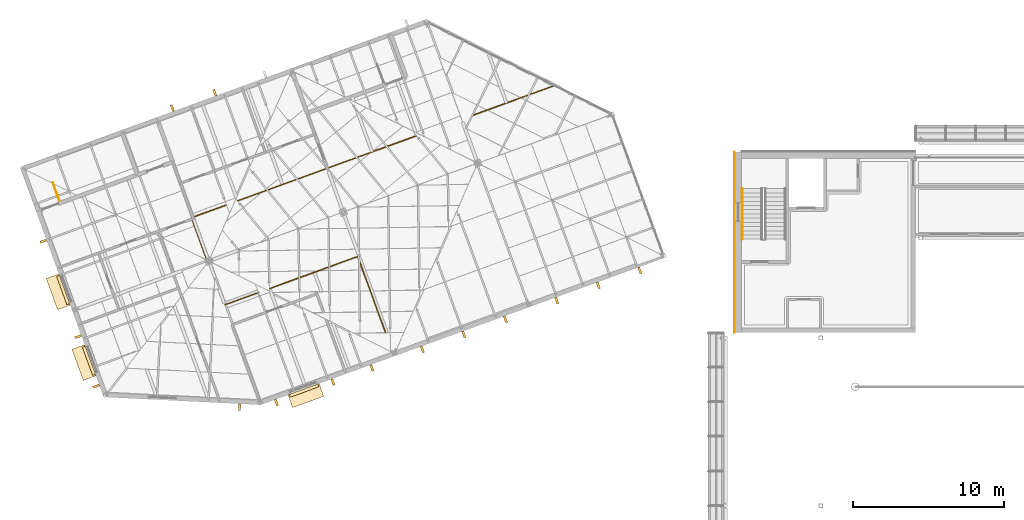
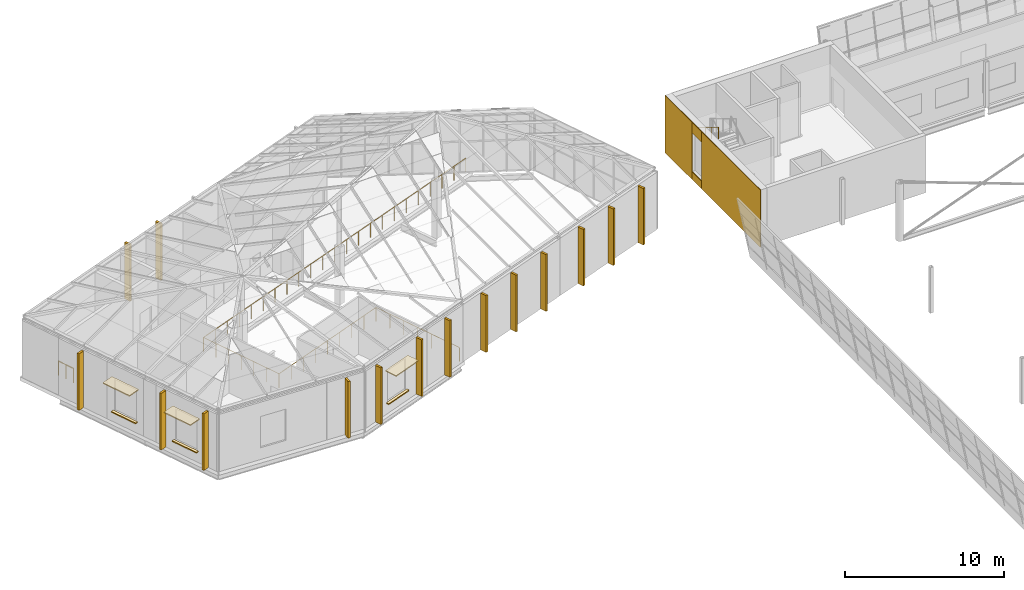
# One storey, part 83 of 95: 15 shading devices, 10 coverings, 3 railings.
"""IFC4 building model written with IfcOpenShell, lengths in metres."""

from ifc_helpers import new_model, si_unit, direction, frame, origin, origin_2d, place, context, subcontext, project, spatial, polyline, circle, outline, extrude, material, layer, layer_set, type_object, element, save


model = new_model("IFC4")

# Units and contexts
model_context = context("Model", 3, precision=1e-05, world=origin(), true_north=direction((0.0, 1.0)))
body_context = subcontext(model_context, "Body", "Model", "MODEL_VIEW")
ifc_project = project(units=[si_unit("LENGTHUNIT", "METRE"), si_unit("AREAUNIT", "SQUARE_METRE"), si_unit("VOLUMEUNIT", "CUBIC_METRE"), si_unit("PLANEANGLEUNIT", "RADIAN"), si_unit("MASSUNIT", "GRAM", prefix="KILO")], contexts=[model_context])

# Site, building, storey
site_placement = place(None, origin())
site = spatial("IfcSite", under=ifc_project, at=site_placement, CompositionType="ELEMENT")
building_placement = place(site_placement, origin())
building = spatial("IfcBuilding", under=site, at=building_placement, Name="Windward Yard Aquatics Centre", CompositionType="ELEMENT")
storey_placement = place(building_placement, frame((0.0, 0.0, 9.39990234375)))
storey = spatial("IfcBuildingStorey", under=building, at=storey_placement, Name="L02", CompositionType="ELEMENT", Elevation=9.39990234375)

# Railings
ifc_material_1 = material(Name="Stainless steel 1.4401", Category="steel")
railing_type_1 = type_object("IfcRailingType", Name="F guard 1100 stainless steel", PredefinedType="GUARDRAIL", material=ifc_material_1)
railing_1_placement = place(storey_placement, frame((7.1484375, 92.77392578125, 0.0)))
element("IfcRailing", 1, at=railing_1_placement, inside=storey, type_object=railing_type_1, Name="F.RL.G.L02.S1", PredefinedType="GUARDRAIL", context=body_context, shape_type="SweptSolid", body=[
    extrude(circle(Radius=0.02392578125, at=origin_2d()), frame((0.0, 0.0, 1.076171875), z_axis=(-0.342119329325, 0.939656514106, 0.0), x_axis=(-0.939656514106, -0.342119329325, 0.0)), (0.0, 0.0, 1.0), 1.250244140625),
    extrude(circle(Radius=0.02099609375, at=origin_2d()), origin(), (0.0, 0.0, 1.0), 1.052001953125),
    extrude(circle(Radius=0.02099609375, at=origin_2d()), frame((-0.2138671875, 0.58740234375, 0.0)), (0.0, 0.0, 1.0), 1.052001953125),
    extrude(circle(Radius=0.02099609375, at=origin_2d()), frame((-0.427734375, 1.1748046875, 0.0)), (0.0, 0.0, 1.0), 1.052001953125),
])
railing_2_placement = place(storey_placement, frame((40.051025390625, 100.4130859375, 0.0)))
element("IfcRailing", 2, at=railing_2_placement, inside=storey, type_object=railing_type_1, Name="F.RL.G.L02.01", PredefinedType="GUARDRAIL", context=body_context, shape_type="SweptSolid", body=[
    extrude(circle(Radius=0.02392578125, at=origin_2d()), frame((0.0, 0.0, 1.076171875), z_axis=(-0.939692626213, -0.342020128415, 0.0), x_axis=(0.342020128415, -0.939692626213, 0.0)), (0.0, 0.0, 1.0), 25.68115234375),
    extrude(circle(Radius=0.02392578125, at=origin_2d()), frame((-24.13232421875, -8.783447265625, 1.076171875), z_axis=(0.342040251855, -0.939685301636, 0.0), x_axis=(0.939685301636, 0.342040251855, 0.0)), (0.0, 0.0, 1.0), 6.199951171875),
    extrude(circle(Radius=0.02392578125, at=origin_2d()), frame((-22.01171875, -14.609375, 1.076171875), z_axis=(0.939697342025, 0.342007171549, 0.0), x_axis=(-0.342007171549, 0.939697342025, 0.0)), (0.0, 0.0, 1.0), 9.499755859375),
    extrude(circle(Radius=0.02392578125, at=origin_2d()), frame((-13.084716796875, -11.3603515625, 1.076171875), z_axis=(0.342017775767, -0.939693482503, 0.0), x_axis=(0.939693482503, 0.342017775767, 0.0)), (0.0, 0.0, 1.0), 6.849853515625),
    extrude(circle(Radius=0.02099609375, at=origin_2d()), origin(), (0.0, 0.0, 1.0), 1.052001953125),
    extrude(circle(Radius=0.02099609375, at=origin_2d()), frame((-1.096923828125, -0.399169921875, 0.0)), (0.0, 0.0, 1.0), 1.052001953125),
    extrude(circle(Radius=0.02099609375, at=origin_2d()), frame((-2.19384765625, -0.798583984375, 0.0)), (0.0, 0.0, 1.0), 1.052001953125),
    extrude(circle(Radius=0.02099609375, at=origin_2d()), frame((-3.290771484375, -1.19775390625, 0.0)), (0.0, 0.0, 1.0), 1.052001953125),
    extrude(circle(Radius=0.02099609375, at=origin_2d()), frame((-4.3876953125, -1.596923828125, 0.0)), (0.0, 0.0, 1.0), 1.052001953125),
    extrude(circle(Radius=0.02099609375, at=origin_2d()), frame((-5.484619140625, -1.996337890625, 0.0)), (0.0, 0.0, 1.0), 1.052001953125),
    extrude(circle(Radius=0.02099609375, at=origin_2d()), frame((-6.58154296875, -2.3955078125, 0.0)), (0.0, 0.0, 1.0), 1.052001953125),
    extrude(circle(Radius=0.02099609375, at=origin_2d()), frame((-7.678466796875, -2.794677734375, 0.0)), (0.0, 0.0, 1.0), 1.052001953125),
    extrude(circle(Radius=0.02099609375, at=origin_2d()), frame((-8.775390625, -3.194091796875, 0.0)), (0.0, 0.0, 1.0), 1.052001953125),
    extrude(circle(Radius=0.02099609375, at=origin_2d()), frame((-9.872314453125, -3.59326171875, 0.0)), (0.0, 0.0, 1.0), 1.052001953125),
    extrude(circle(Radius=0.02099609375, at=origin_2d()), frame((-10.96923828125, -3.992431640625, 0.0)), (0.0, 0.0, 1.0), 1.052001953125),
    extrude(circle(Radius=0.02099609375, at=origin_2d()), frame((-12.066162109375, -4.3916015625, 0.0)), (0.0, 0.0, 1.0), 1.052001953125),
    extrude(circle(Radius=0.02099609375, at=origin_2d()), frame((-13.1630859375, -4.791015625, 0.0)), (0.0, 0.0, 1.0), 1.052001953125),
    extrude(circle(Radius=0.02099609375, at=origin_2d()), frame((-14.260009765625, -5.190185546875, 0.0)), (0.0, 0.0, 1.0), 1.052001953125),
    extrude(circle(Radius=0.02099609375, at=origin_2d()), frame((-15.35693359375, -5.58935546875, 0.0)), (0.0, 0.0, 1.0), 1.052001953125),
    extrude(circle(Radius=0.02099609375, at=origin_2d()), frame((-16.453857421875, -5.98876953125, 0.0)), (0.0, 0.0, 1.0), 1.052001953125),
    extrude(circle(Radius=0.02099609375, at=origin_2d()), frame((-17.55078125, -6.387939453125, 0.0)), (0.0, 0.0, 1.0), 1.052001953125),
    extrude(circle(Radius=0.02099609375, at=origin_2d()), frame((-18.647705078125, -6.787109375, 0.0)), (0.0, 0.0, 1.0), 1.052001953125),
    extrude(circle(Radius=0.02099609375, at=origin_2d()), frame((-19.74462890625, -7.1865234375, 0.0)), (0.0, 0.0, 1.0), 1.052001953125),
    extrude(circle(Radius=0.02099609375, at=origin_2d()), frame((-20.841552734375, -7.585693359375, 0.0)), (0.0, 0.0, 1.0), 1.052001953125),
    extrude(circle(Radius=0.02099609375, at=origin_2d()), frame((-21.9384765625, -7.98486328125, 0.0)), (0.0, 0.0, 1.0), 1.052001953125),
    extrude(circle(Radius=0.02099609375, at=origin_2d()), frame((-23.035400390625, -8.38427734375, 0.0)), (0.0, 0.0, 1.0), 1.052001953125),
    extrude(circle(Radius=0.02099609375, at=origin_2d()), frame((-24.13232421875, -8.783447265625, 0.0)), (0.0, 0.0, 1.0), 1.052001953125),
    extrude(circle(Radius=0.02099609375, at=origin_2d()), frame((-23.77880859375, -9.75439453125, 0.0)), (0.0, 0.0, 1.0), 1.052001953125),
    extrude(circle(Radius=0.02099609375, at=origin_2d()), frame((-23.425537109375, -10.725341796875, 0.0)), (0.0, 0.0, 1.0), 1.052001953125),
    extrude(circle(Radius=0.02099609375, at=origin_2d()), frame((-23.072021484375, -11.6962890625, 0.0)), (0.0, 0.0, 1.0), 1.052001953125),
    extrude(circle(Radius=0.02099609375, at=origin_2d()), frame((-22.718505859375, -12.66748046875, 0.0)), (0.0, 0.0, 1.0), 1.052001953125),
    extrude(circle(Radius=0.02099609375, at=origin_2d()), frame((-22.365234375, -13.638427734375, 0.0)), (0.0, 0.0, 1.0), 1.052001953125),
    extrude(circle(Radius=0.02099609375, at=origin_2d()), frame((-22.01171875, -14.609375, 0.0)), (0.0, 0.0, 1.0), 1.052001953125),
    extrude(circle(Radius=0.02099609375, at=origin_2d()), frame((-20.895751953125, -14.203125, 0.0)), (0.0, 0.0, 1.0), 1.052001953125),
    extrude(circle(Radius=0.02099609375, at=origin_2d()), frame((-19.780029296875, -13.797119140625, 0.0)), (0.0, 0.0, 1.0), 1.052001953125),
    extrude(circle(Radius=0.02099609375, at=origin_2d()), frame((-18.6640625, -13.39111328125, 0.0)), (0.0, 0.0, 1.0), 1.052001953125),
    extrude(circle(Radius=0.02099609375, at=origin_2d()), frame((-17.54833984375, -12.98486328125, 0.0)), (0.0, 0.0, 1.0), 1.052001953125),
    extrude(circle(Radius=0.02099609375, at=origin_2d()), frame((-16.432373046875, -12.57861328125, 0.0)), (0.0, 0.0, 1.0), 1.052001953125),
    extrude(circle(Radius=0.02099609375, at=origin_2d()), frame((-15.31640625, -12.172607421875, 0.0)), (0.0, 0.0, 1.0), 1.052001953125),
    extrude(circle(Radius=0.02099609375, at=origin_2d()), frame((-14.20068359375, -11.7666015625, 0.0)), (0.0, 0.0, 1.0), 1.052001953125),
    extrude(circle(Radius=0.02099609375, at=origin_2d()), frame((-13.084716796875, -11.3603515625, 0.0)), (0.0, 0.0, 1.0), 1.052001953125),
    extrude(circle(Radius=0.02099609375, at=origin_2d()), frame((-12.6943359375, -12.43310546875, 0.0)), (0.0, 0.0, 1.0), 1.052001953125),
    extrude(circle(Radius=0.02099609375, at=origin_2d()), frame((-12.3037109375, -13.505859375, 0.0)), (0.0, 0.0, 1.0), 1.052001953125),
    extrude(circle(Radius=0.02099609375, at=origin_2d()), frame((-11.913330078125, -14.57861328125, 0.0)), (0.0, 0.0, 1.0), 1.052001953125),
    extrude(circle(Radius=0.02099609375, at=origin_2d()), frame((-11.52294921875, -15.651611328125, 0.0)), (0.0, 0.0, 1.0), 1.052001953125),
    extrude(circle(Radius=0.02099609375, at=origin_2d()), frame((-11.13232421875, -16.724365234375, 0.0)), (0.0, 0.0, 1.0), 1.052001953125),
    extrude(circle(Radius=0.02099609375, at=origin_2d()), frame((-10.741943359375, -17.797119140625, 0.0)), (0.0, 0.0, 1.0), 1.052001953125),
])

# Shading devices
ifc_material_2 = material(Name="Aluminium fin, powder coated", Category="aluminium")
shading_device_type = type_object("IfcShadingDeviceType", Name="F vertical fin 150x450", PredefinedType="USERDEFINED", material=ifc_material_2)
shading_device_1_placement = place(storey_placement, origin())
element("IfcShadingDevice", 3, at=shading_device_1_placement, inside=storey, type_object=shading_device_type, Name="Vertical fin F.WL.L02.E02.1.1", ObjectType="FIN", PredefinedType="USERDEFINED", context=body_context, shape_type="SweptSolid", body=[
    extrude(outline(polyline([(19.033935546875, 78.825439453125), (19.05615234375, 79.27490234375), (19.2060546875, 79.267333984375), (19.18359375, 78.818115234375), (19.033935546875, 78.825439453125)])), origin(), (0.0, 0.0, 1.0), 4.35009765625),
])
shading_device_2_placement = place(storey_placement, origin())
element("IfcShadingDevice", 4, at=shading_device_2_placement, inside=storey, type_object=shading_device_type, Name="Vertical fin F.WL.L02.E03.1.1", ObjectType="FIN", PredefinedType="USERDEFINED", context=body_context, shape_type="SweptSolid", body=[
    extrude(outline(polyline([(21.41357421875, 79.529296875), (21.5546875, 79.58056640625), (21.70849609375, 79.15771484375), (21.5673828125, 79.1064453125), (21.41357421875, 79.529296875)])), origin(), (0.0, 0.0, 1.0), 4.35009765625),
])
shading_device_3_placement = place(storey_placement, origin())
element("IfcShadingDevice", 5, at=shading_device_3_placement, inside=storey, type_object=shading_device_type, Name="Vertical fin F.WL.L02.E03.2.1", ObjectType="FIN", PredefinedType="USERDEFINED", context=body_context, shape_type="SweptSolid", body=[
    extrude(outline(polyline([(25.17236328125, 80.8974609375), (25.3134765625, 80.94873046875), (25.46728515625, 80.52587890625), (25.326416015625, 80.474609375), (25.17236328125, 80.8974609375)])), origin(), (0.0, 0.0, 1.0), 4.35009765625),
])
shading_device_4_placement = place(storey_placement, origin())
element("IfcShadingDevice", 6, at=shading_device_4_placement, inside=storey, type_object=shading_device_type, Name="Vertical fin F.WL.L02.E04.1.1", ObjectType="FIN", PredefinedType="USERDEFINED", context=body_context, shape_type="SweptSolid", body=[
    extrude(outline(polyline([(27.756591796875, 81.837890625), (27.8974609375, 81.88916015625), (28.051513671875, 81.46630859375), (27.910400390625, 81.4150390625), (27.756591796875, 81.837890625)])), origin(), (0.0, 0.0, 1.0), 4.35009765625),
])
shading_device_5_placement = place(storey_placement, origin())
element("IfcShadingDevice", 7, at=shading_device_5_placement, inside=storey, type_object=shading_device_type, Name="Vertical fin F.WL.L02.E05.1.1", ObjectType="FIN", PredefinedType="USERDEFINED", context=body_context, shape_type="SweptSolid", body=[
    extrude(outline(polyline([(31.108154296875, 83.057861328125), (31.2490234375, 83.109130859375), (31.403076171875, 82.686279296875), (31.261962890625, 82.635009765625), (31.108154296875, 83.057861328125)])), origin(), (0.0, 0.0, 1.0), 4.35009765625),
])
shading_device_6_placement = place(storey_placement, origin())
element("IfcShadingDevice", 8, at=shading_device_6_placement, inside=storey, type_object=shading_device_type, Name="Vertical fin F.WL.L02.E05.1.2", ObjectType="FIN", PredefinedType="USERDEFINED", context=body_context, shape_type="SweptSolid", body=[
    extrude(outline(polyline([(33.864501953125, 84.06103515625), (34.005615234375, 84.1123046875), (34.159423828125, 83.689453125), (34.0185546875, 83.63818359375), (33.864501953125, 84.06103515625)])), origin(), (0.0, 0.0, 1.0), 4.35009765625),
])
shading_device_7_placement = place(storey_placement, origin())
element("IfcShadingDevice", 9, at=shading_device_7_placement, inside=storey, type_object=shading_device_type, Name="Vertical fin F.WL.L02.E05.1.3", ObjectType="FIN", PredefinedType="USERDEFINED", context=body_context, shape_type="SweptSolid", body=[
    extrude(outline(polyline([(36.62109375, 85.064453125), (36.761962890625, 85.11572265625), (36.916015625, 84.69287109375), (36.77490234375, 84.6416015625), (36.62109375, 85.064453125)])), origin(), (0.0, 0.0, 1.0), 4.35009765625),
])
shading_device_8_placement = place(storey_placement, origin())
element("IfcShadingDevice", 10, at=shading_device_8_placement, inside=storey, type_object=shading_device_type, Name="Vertical fin F.WL.L02.E06.1.1", ObjectType="FIN", PredefinedType="USERDEFINED", context=body_context, shape_type="SweptSolid", body=[
    extrude(outline(polyline([(40.03515625, 86.306884765625), (40.17626953125, 86.3583984375), (40.330078125, 85.935546875), (40.189208984375, 85.88427734375), (40.03515625, 86.306884765625)])), origin(), (0.0, 0.0, 1.0), 4.35009765625),
])
shading_device_9_placement = place(storey_placement, origin())
element("IfcShadingDevice", 11, at=shading_device_9_placement, inside=storey, type_object=shading_device_type, Name="Vertical fin F.WL.L02.E06.1.2", ObjectType="FIN", PredefinedType="USERDEFINED", context=body_context, shape_type="SweptSolid", body=[
    extrude(outline(polyline([(42.791748046875, 87.310302734375), (42.9326171875, 87.361572265625), (43.08642578125, 86.938720703125), (42.945556640625, 86.887451171875), (42.791748046875, 87.310302734375)])), origin(), (0.0, 0.0, 1.0), 4.35009765625),
])
shading_device_10_placement = place(storey_placement, origin())
element("IfcShadingDevice", 12, at=shading_device_10_placement, inside=storey, type_object=shading_device_type, Name="Vertical fin F.WL.L02.E06.1.3", ObjectType="FIN", PredefinedType="USERDEFINED", context=body_context, shape_type="SweptSolid", body=[
    extrude(outline(polyline([(45.548095703125, 88.313720703125), (45.689208984375, 88.364990234375), (45.843017578125, 87.94189453125), (45.701904296875, 87.890625), (45.548095703125, 88.313720703125)])), origin(), (0.0, 0.0, 1.0), 4.35009765625),
])
shading_device_11_placement = place(storey_placement, origin())
element("IfcShadingDevice", 13, at=shading_device_11_placement, inside=storey, type_object=shading_device_type, Name="Vertical fin F.WL.L02.E09.1.1", ObjectType="FIN", PredefinedType="USERDEFINED", context=body_context, shape_type="SweptSolid", body=[
    extrude(outline(polyline([(17.32373046875, 100.122314453125), (17.464599609375, 100.173583984375), (17.61865234375, 99.7509765625), (17.477783203125, 99.69970703125), (17.32373046875, 100.122314453125)])), origin(), (0.0, 0.0, 1.0), 4.35009765625),
])
shading_device_12_placement = place(storey_placement, origin())
element("IfcShadingDevice", 14, at=shading_device_12_placement, inside=storey, type_object=shading_device_type, Name="Vertical fin F.WL.L02.E10.1.1", ObjectType="FIN", PredefinedType="USERDEFINED", context=body_context, shape_type="SweptSolid", body=[
    extrude(outline(polyline([(14.504638671875, 99.09619140625), (14.6455078125, 99.147705078125), (14.799560546875, 98.724853515625), (14.65869140625, 98.673583984375), (14.504638671875, 99.09619140625)])), origin(), (0.0, 0.0, 1.0), 4.35009765625),
])
shading_device_13_placement = place(storey_placement, origin())
element("IfcShadingDevice", 15, at=shading_device_13_placement, inside=storey, type_object=shading_device_type, Name="Vertical fin F.WL.L02.E11.1.1", ObjectType="FIN", PredefinedType="USERDEFINED", context=body_context, shape_type="SweptSolid", body=[
    extrude(outline(polyline([(5.84619140625, 90.0654296875), (6.26904296875, 90.21923828125), (6.3203125, 90.078369140625), (5.897705078125, 89.92431640625), (5.84619140625, 90.0654296875)])), origin(), (0.0, 0.0, 1.0), 4.35009765625),
])
shading_device_14_placement = place(storey_placement, origin())
element("IfcShadingDevice", 16, at=shading_device_14_placement, inside=storey, type_object=shading_device_type, Name="Vertical fin F.WL.L02.E14.1.1", ObjectType="FIN", PredefinedType="USERDEFINED", context=body_context, shape_type="SweptSolid", body=[
    extrude(outline(polyline([(8.155029296875, 83.722412109375), (8.577880859375, 83.876220703125), (8.629150390625, 83.7353515625), (8.206298828125, 83.581298828125), (8.155029296875, 83.722412109375)])), origin(), (0.0, 0.0, 1.0), 4.35009765625),
])
shading_device_15_placement = place(storey_placement, origin())
element("IfcShadingDevice", 17, at=shading_device_15_placement, inside=storey, type_object=shading_device_type, Name="Vertical fin F.WL.L02.E14.2.1", ObjectType="FIN", PredefinedType="USERDEFINED", context=body_context, shape_type="SweptSolid", body=[
    extrude(outline(polyline([(9.35205078125, 80.43359375), (9.77490234375, 80.58740234375), (9.826171875, 80.446533203125), (9.4033203125, 80.29248046875), (9.35205078125, 80.43359375)])), origin(), (0.0, 0.0, 1.0), 4.35009765625),
])

# Coverings
ifc_material_3 = material(Name="Aluminium composite hood, powder coated", Category="aluminium")
ifc_layer_1 = layer(ifc_material_3, 0.080078125)
ifc_layer_set_1 = layer_set([ifc_layer_1], Name="F window hood aluminium 2200x900")
covering_type_1 = type_object("IfcCoveringType", Name="F window hood aluminium 2200x900", PredefinedType="CLADDING", material=ifc_layer_set_1)
covering_1_placement = place(storey_placement, frame((0.0, 0.0, 3.35009765625)))
element("IfcCovering", 18, at=covering_1_placement, inside=storey, type_object=covering_type_1, Name="Window hood F2102", PredefinedType="CLADDING", context=body_context, shape_type="SweptSolid", body=[
    extrude(outline(polyline([(22.329833984375, 79.86279296875), (24.397216796875, 80.615234375), (24.705078125, 79.76953125), (22.6376953125, 79.01708984375), (22.329833984375, 79.86279296875)])), origin(), (0.0, 0.0, 1.0), 0.080078125),
])
covering_2_placement = place(storey_placement, frame((0.0, 0.0, 3.35009765625)))
element("IfcCovering", 19, at=covering_2_placement, inside=storey, type_object=covering_type_1, Name="Window hood F2103", PredefinedType="CLADDING", context=body_context, shape_type="SweptSolid", body=[
    extrude(outline(polyline([(6.27001953125, 87.585693359375), (7.115478515625, 87.8935546875), (7.867919921875, 85.826171875), (7.022216796875, 85.518310546875), (6.27001953125, 87.585693359375)])), origin(), (0.0, 0.0, 1.0), 0.080078125),
])
covering_3_placement = place(storey_placement, frame((0.0, 0.0, 3.35009765625)))
element("IfcCovering", 20, at=covering_3_placement, inside=storey, type_object=covering_type_1, Name="Window hood F2104", PredefinedType="CLADDING", context=body_context, shape_type="SweptSolid", body=[
    extrude(outline(polyline([(7.97998046875, 82.88720703125), (8.82568359375, 83.195068359375), (9.578125, 81.127685546875), (8.732421875, 80.81982421875), (7.97998046875, 82.88720703125)])), origin(), (0.0, 0.0, 1.0), 0.080078125),
])
ifc_material_4 = material(Name="Limestone sill", Category="masonry")
ifc_layer_2 = layer(ifc_material_4, 0.080078125)
ifc_layer_set_2 = layer_set([ifc_layer_2], Name="F window sill stone 2000x200")
covering_type_2 = type_object("IfcCoveringType", Name="F window sill stone 2000x200", PredefinedType="CLADDING", material=ifc_layer_set_2)
covering_4_placement = place(storey_placement, frame((0.0, 0.0, 0.820068359375)))
element("IfcCovering", 21, at=covering_4_placement, inside=storey, type_object=covering_type_2, Name="Window sill F2102", PredefinedType="CLADDING", context=body_context, shape_type="SweptSolid", body=[
    extrude(outline(polyline([(22.423828125, 79.89697265625), (24.30322265625, 80.5810546875), (24.37158203125, 80.39306640625), (22.4921875, 79.708984375), (22.423828125, 79.89697265625)])), origin(), (0.0, 0.0, 1.0), 0.080078125),
])
covering_5_placement = place(storey_placement, frame((0.0, 0.0, 0.820068359375)))
element("IfcCovering", 22, at=covering_5_placement, inside=storey, type_object=covering_type_2, Name="Window sill F2103", PredefinedType="CLADDING", context=body_context, shape_type="SweptSolid", body=[
    extrude(outline(polyline([(6.9619140625, 87.731201171875), (7.14990234375, 87.799560546875), (7.833740234375, 85.920166015625), (7.64599609375, 85.851806640625), (6.9619140625, 87.731201171875)])), origin(), (0.0, 0.0, 1.0), 0.080078125),
])
covering_6_placement = place(storey_placement, frame((0.0, 0.0, 0.820068359375)))
element("IfcCovering", 23, at=covering_6_placement, inside=storey, type_object=covering_type_2, Name="Window sill F2104", PredefinedType="CLADDING", context=body_context, shape_type="SweptSolid", body=[
    extrude(outline(polyline([(8.672119140625, 83.03271484375), (8.860107421875, 83.10107421875), (9.5439453125, 81.2216796875), (9.356201171875, 81.1533203125), (8.672119140625, 83.03271484375)])), origin(), (0.0, 0.0, 1.0), 0.080078125),
])

# Railing
ifc_material_5 = material(Name="Stainless steel 1.4529", Category="steel")
railing_type_2 = type_object("IfcRailingType", Name="H Handrail Steel 900", PredefinedType="HANDRAIL", material=ifc_material_5)
railing_3_placement = place(storey_placement, frame((52.5, 93.56005859375, 2.369384765625)))
element("IfcRailing", 24, at=railing_3_placement, inside=storey, type_object=railing_type_2, Name="L02 ST3 stair handrail 2", PredefinedType="HANDRAIL", context=body_context, shape_type="SweptSolid", body=[
    extrude(circle(Radius=0.02392578125, at=origin_2d()), frame((0.0, 0.0, 0.8759765625), z_axis=(0.0, -0.855836976705, 0.517245656632), x_axis=(1.0, 0.0, 0.0)), (0.0, 0.0, 1.0), 3.926025390625),
    extrude(circle(Radius=0.02099609375, at=origin_2d()), origin(), (0.0, 0.0, 1.0), 0.851806640625),
    extrude(circle(Radius=0.02099609375, at=origin_2d()), frame((0.0, -0.840087890625, 0.5078125)), (0.0, 0.0, 1.0), 0.851806640625),
    extrude(circle(Radius=0.02099609375, at=origin_2d()), frame((0.0, -1.68017578125, 1.015380859375)), (0.0, 0.0, 1.0), 0.851806640625),
    extrude(circle(Radius=0.02099609375, at=origin_2d()), frame((0.0, -2.52001953125, 1.52294921875)), (0.0, 0.0, 1.0), 0.851806640625),
    extrude(circle(Radius=0.02099609375, at=origin_2d()), frame((0.0, -3.360107421875, 2.03076171875)), (0.0, 0.0, 1.0), 0.851806640625),
])

# Coverings
ifc_material_6 = material(Name="Natural limestone cladding", Category="masonry")
ifc_layer_3 = layer(ifc_material_6, 0.0400390625)
ifc_layer_set_3 = layer_set([ifc_layer_3], Name="H natural stone cladding 40")
covering_type_3 = type_object("IfcCoveringType", Name="H natural stone cladding 40", PredefinedType="CLADDING", material=ifc_layer_set_3)
covering_7_placement = place(storey_placement, origin())
element("IfcCovering", 25, at=covering_7_placement, inside=storey, type_object=covering_type_3, Name="Stone cladding panel 76", PredefinedType="CLADDING", context=body_context, shape_type="SweptSolid", body=[
    extrude(outline(polyline([(51.9599609375, 92.60009765625), (51.9599609375, 96.0), (52.0, 96.0), (52.0, 92.60009765625), (51.9599609375, 92.60009765625)])), origin(), (0.0, 0.0, 1.0), 4.400146484375),
])
covering_8_placement = place(storey_placement, origin())
element("IfcCovering", 26, at=covering_8_placement, inside=storey, type_object=covering_type_3, Name="Stone cladding panel 77", PredefinedType="CLADDING", context=body_context, shape_type="SweptSolid", body=[
    extrude(outline(polyline([(51.9599609375, 91.39990234375), (51.9599609375, 92.60009765625), (52.0, 92.60009765625), (52.0, 91.39990234375), (51.9599609375, 91.39990234375)])), origin(), (0.0, 0.0, 1.0), 0.60009765625),
])
covering_9_placement = place(storey_placement, frame((0.0, 0.0, 3.60009765625)))
element("IfcCovering", 27, at=covering_9_placement, inside=storey, type_object=covering_type_3, Name="Stone cladding panel 78", PredefinedType="CLADDING", context=body_context, shape_type="SweptSolid", body=[
    extrude(outline(polyline([(51.9599609375, 91.39990234375), (51.9599609375, 92.60009765625), (52.0, 92.60009765625), (52.0, 91.39990234375), (51.9599609375, 91.39990234375)])), origin(), (0.0, 0.0, 1.0), 0.800048828125),
])
covering_10_placement = place(storey_placement, origin())
element("IfcCovering", 28, at=covering_10_placement, inside=storey, type_object=covering_type_3, Name="Stone cladding panel 79", PredefinedType="CLADDING", context=body_context, shape_type="SweptSolid", body=[
    extrude(outline(polyline([(51.9599609375, 84.0), (51.9599609375, 91.39990234375), (52.0, 91.39990234375), (52.0, 84.0), (51.9599609375, 84.0)])), origin(), (0.0, 0.0, 1.0), 4.400146484375),
])

save(model, "model.ifc")
